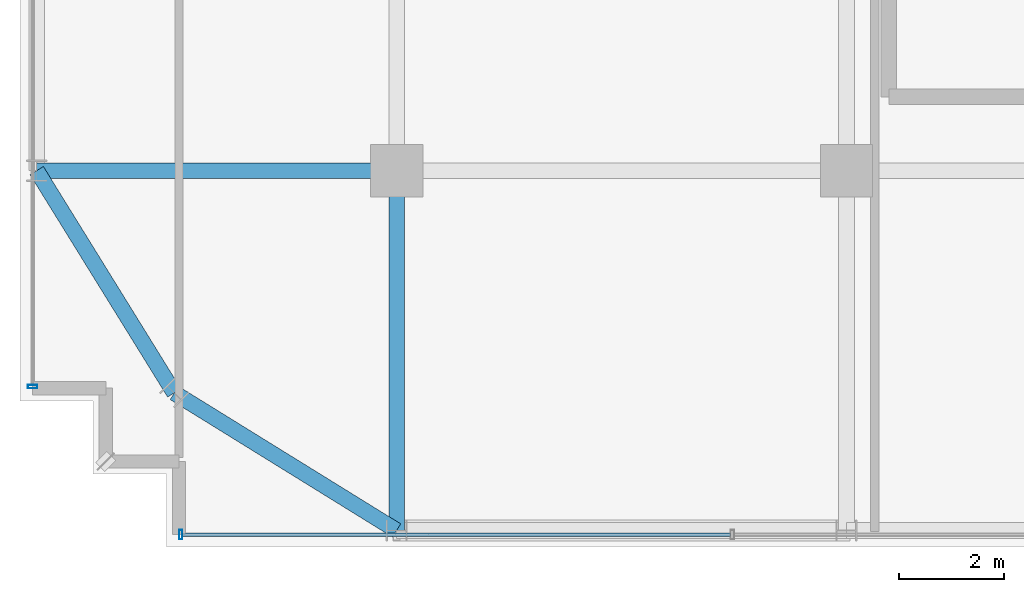
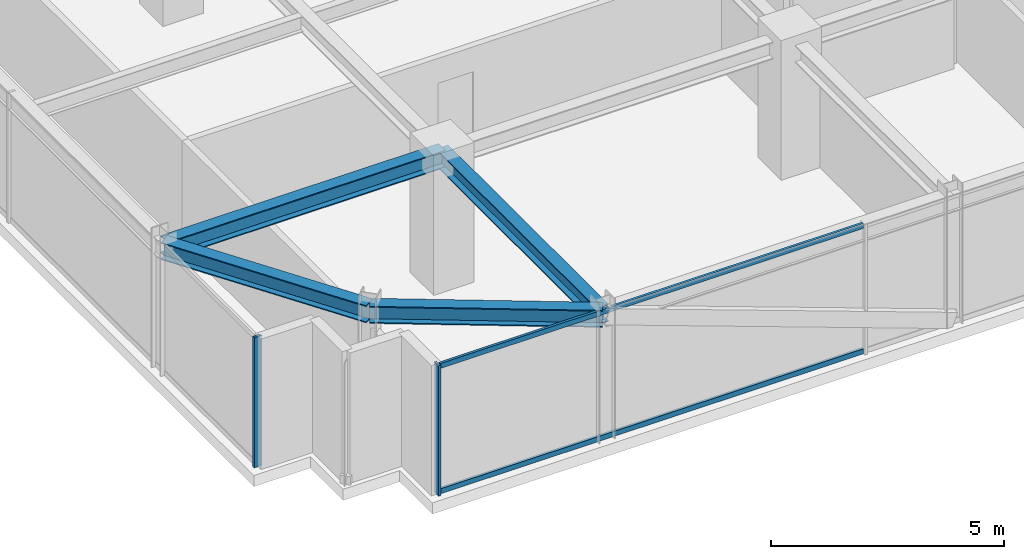
# One storey, part 4 of 42: 4 beams, 4 members, 2 elements without a shape of their own.
"""IFC4 building model written with IfcOpenShell, lengths in metres."""

from ifc_helpers import new_model, si_unit, direction, frame, origin, origin_2d, place, context, subcontext, project, spatial, hollow_rectangle, i_section, extrude, source, transform, mapped, material, material_profile, profile_set, type_object, element, aggregate, save


model = new_model("IFC4")

# Units and contexts
model_context = context("Model", 3, precision=1e-05, world=origin(), true_north=direction((0.0, 1.0)))
body_context = subcontext(model_context, "Body", "Model", "MODEL_VIEW")
ifc_project = project(units=[si_unit("LENGTHUNIT", "METRE"), si_unit("AREAUNIT", "SQUARE_METRE"), si_unit("VOLUMEUNIT", "CUBIC_METRE"), si_unit("PLANEANGLEUNIT", "RADIAN"), si_unit("MASSUNIT", "GRAM", prefix="KILO")], contexts=[model_context])

# Site, building, storey
site_placement = place(None, origin())
site = spatial("IfcSite", under=ifc_project, at=site_placement, CompositionType="ELEMENT")
building_placement = place(site_placement, origin())
building = spatial("IfcBuilding", under=site, at=building_placement, Name="Nahalor Promenade Grand Hotel", CompositionType="ELEMENT")
storey_placement = place(building_placement, frame((0.0, 0.0, 249.300048828125)))
storey = spatial("IfcBuildingStorey", under=building, at=storey_placement, Name="L64", CompositionType="ELEMENT", Elevation=249.300048828125)

# Beams
ifc_material_1 = material(Name="Steel S355JR", Category="steel")
ifc_material_profile_1 = material_profile(ifc_material_1, i_section(OverallWidth=0.3, OverallDepth=0.45, WebThickness=0.014, FlangeThickness=0.026, at=origin_2d()), Name="HEB 450")
ifc_profile_set_1 = profile_set([ifc_material_profile_1], Name="Steel S355JR")
beam_type_1 = type_object("IfcBeamType", Name="Beam-Spandrel-HEB450", PredefinedType="SPANDREL", material=ifc_profile_set_1)
shared_shape_1 = source(origin(), body_context, "Body", "SweptSolid", [
    extrude(i_section(OverallWidth=0.3, OverallDepth=0.45, WebThickness=0.014, FlangeThickness=0.026, at=origin_2d()), origin(), (0.0, 0.0, 1.0), 4.997802734375),
])
for number, where, z_axis, x_axis, name in (
    (1, (-17.0, -23.8798828125, 3.18505859375), (-0.850360908404, 0.526199891161, 0.0), (-0.526199891161, -0.850360908404, 0.0), "BM-L64-SPC-SW-1"),
    (2, (-21.25, -21.25, 3.18505859375), (-0.526199891161, 0.850360908404, 0.0), (-0.850360908404, -0.526199891161, 0.0), "BM-L64-SPC-SW-2"),
):
    element("IfcBeam", number, at=place(storey_placement, frame(where, z_axis=z_axis, x_axis=x_axis)), inside=storey, type_object=beam_type_1, Name=name, PredefinedType="SPANDREL", context=body_context, shape_type="MappedRepresentation", body=[
        mapped(shared_shape_1, transform((0.0, 0.0, 0.0), scale=1.0)),
    ])
ifc_material_profile_2 = material_profile(ifc_material_1, i_section(OverallWidth=0.3, OverallDepth=0.45, WebThickness=0.014, FlangeThickness=0.026, at=origin_2d()), Name="HEB 450")
ifc_profile_set_2 = profile_set([ifc_material_profile_2], Name="Steel S355JR")
beam_type_2 = type_object("IfcBeamType", Name="Beam-Girder-HEB450", PredefinedType="BEAM", material=ifc_profile_set_2)
shared_shape_2 = source(origin(), body_context, "Body", "SweptSolid", [
    extrude(i_section(OverallWidth=0.3, OverallDepth=0.45, WebThickness=0.014, FlangeThickness=0.026, at=origin_2d()), origin(), (0.0, 0.0, 1.0), 6.8798828125),
])
for number, where, z_axis, x_axis, name in (
    (3, (-23.8798828125, -17.0, 3.18505859375), (1.0, 0.0, 0.0), (0.0, 1.0, 0.0), "BM-L64-GX-0-0"),
    (4, (-17.0, -23.8798828125, 3.18505859375), (0.0, 1.0, 0.0), (-1.0, 0.0, 0.0), "BM-L64-GY-0-0"),
):
    element("IfcBeam", number, at=place(storey_placement, frame(where, z_axis=z_axis, x_axis=x_axis)), inside=storey, type_object=beam_type_2, Name=name, PredefinedType="BEAM", context=body_context, shape_type="MappedRepresentation", body=[
        mapped(shared_shape_2, transform((0.0, 0.0, 0.0), scale=1.0)),
    ])

# Curtain wall, members
ifc_material_2 = material(Name="Anodised Bronze Aluminium EN AW-6063 T6", Category="aluminium")
curtain_wall_type = type_object("IfcCurtainWallType", Name="CW2 Typical Hotel Flush Bronze Unitised Curtain Wall", PredefinedType="USERDEFINED", material=ifc_material_2)
curtain_wall_1_placement = place(storey_placement, origin())
curtain_wall_1 = element("IfcCurtainWall", 5, at=curtain_wall_1_placement, inside=storey, type_object=curtain_wall_type, Name="L64 Curtain Wall CW-L64-S-1", ObjectType="UNITISED_CURTAIN_WALL", PredefinedType="USERDEFINED")
ifc_material_profile_3 = material_profile(ifc_material_2, hollow_rectangle(XDim=0.065, YDim=0.13, WallThickness=0.004, at=origin_2d()), Name="CWT 65x130x4")
ifc_profile_set_3 = profile_set([ifc_material_profile_3], Name="Anodised Bronze Aluminium EN AW-6063 T6")
member_type_1 = type_object("IfcMemberType", Name="CWT2 Typical Bronze Transom 65x130", PredefinedType="USERDEFINED", material=ifc_profile_set_3)
shared_shape_3 = source(origin(), body_context, "Body", "SweptSolid", [
    extrude(hollow_rectangle(XDim=0.065, YDim=0.13, WallThickness=0.004, at=origin_2d()), origin(), (0.0, 0.0, 1.0), 10.482421875),
])
member_1_placement = place(storey_placement, frame((-21.094970703125, -23.9599609375, 0.06494140625), z_axis=(1.0, 0.0, 0.0), x_axis=(0.0, 1.0, 0.0)))
member_1 = element("IfcMember", 6, at=member_1_placement, type_object=member_type_1, Name="CW-L64-S-1 Transom 0-0", ObjectType="TRANSOM", PredefinedType="USERDEFINED", context=body_context, shape_type="MappedRepresentation", body=[
    mapped(shared_shape_3, transform((0.0, 0.0, 0.0), scale=1.0)),
])
member_2_placement = place(storey_placement, frame((-21.094970703125, -23.9599609375, 3.344970703125), z_axis=(1.0, 0.0, 0.0), x_axis=(0.0, 1.0, 0.0)))
member_2 = element("IfcMember", 7, at=member_2_placement, type_object=member_type_1, Name="CW-L64-S-1 Transom 0-1", ObjectType="TRANSOM", PredefinedType="USERDEFINED", context=body_context, shape_type="MappedRepresentation", body=[
    mapped(shared_shape_3, transform((0.0, 0.0, 0.0), scale=1.0)),
])
ifc_material_profile_4 = material_profile(ifc_material_2, hollow_rectangle(XDim=0.065, YDim=0.18, WallThickness=0.004, at=origin_2d()), Name="CWM 65x180x4")
ifc_profile_set_4 = profile_set([ifc_material_profile_4], Name="Anodised Bronze Aluminium EN AW-6063 T6")
member_type_2 = type_object("IfcMemberType", Name="CWM2 Typical Bronze Mullion 65x180", PredefinedType="MULLION", material=ifc_profile_set_4)
shared_shape_4 = source(origin(), body_context, "Body", "SweptSolid", [
    extrude(hollow_rectangle(XDim=0.065, YDim=0.18, WallThickness=0.004, at=origin_2d()), origin(), (0.0, 0.0, 1.0), 3.409912109375),
])
member_3_placement = place(storey_placement, frame((-21.12744140625, -23.9599609375, 0.0), z_axis=(0.0, 0.0, 1.0), x_axis=(1.0, 0.0, 0.0)))
member_3 = element("IfcMember", 8, at=member_3_placement, type_object=member_type_2, Name="CW-L64-S-1 Mullion 0", PredefinedType="MULLION", context=body_context, shape_type="MappedRepresentation", body=[
    mapped(shared_shape_4, transform((0.0, 0.0, 0.0), scale=1.0)),
])
aggregate(curtain_wall_1, [member_3, member_1, member_2])

# Curtain wall, member
curtain_wall_2_placement = place(storey_placement, origin())
curtain_wall_2 = element("IfcCurtainWall", 9, at=curtain_wall_2_placement, inside=storey, type_object=curtain_wall_type, Name="L64 Curtain Wall CW-L64-W-1", ObjectType="UNITISED_CURTAIN_WALL", PredefinedType="USERDEFINED")
member_4_placement = place(storey_placement, frame((-23.9599609375, -21.12744140625, 0.0), z_axis=(0.0, 0.0, 1.0), x_axis=(0.0, 1.0, 0.0)))
member_4 = element("IfcMember", 10, at=member_4_placement, type_object=member_type_2, Name="CW-L64-W-1 Mullion 0", PredefinedType="MULLION", context=body_context, shape_type="MappedRepresentation", body=[
    mapped(shared_shape_4, transform((0.0, 0.0, 0.0), scale=1.0)),
])
aggregate(curtain_wall_2, [member_4])

save(model, "model.ifc")
